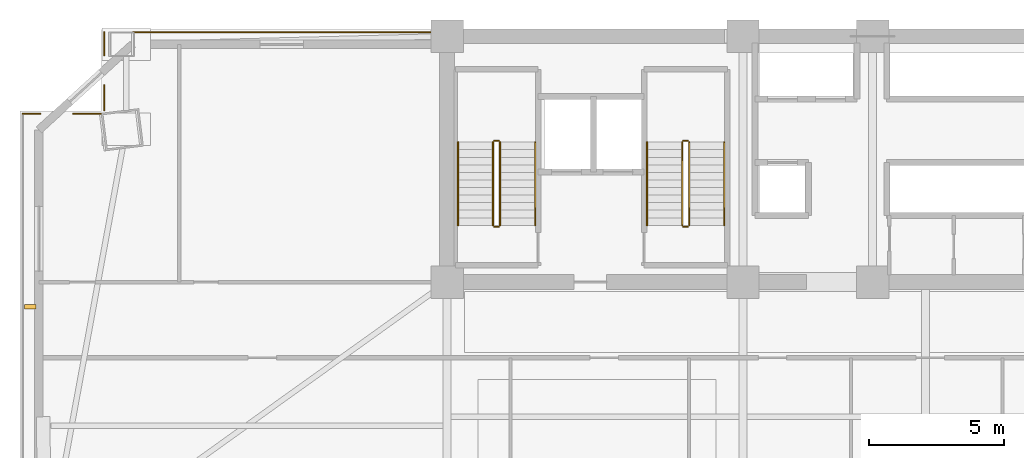
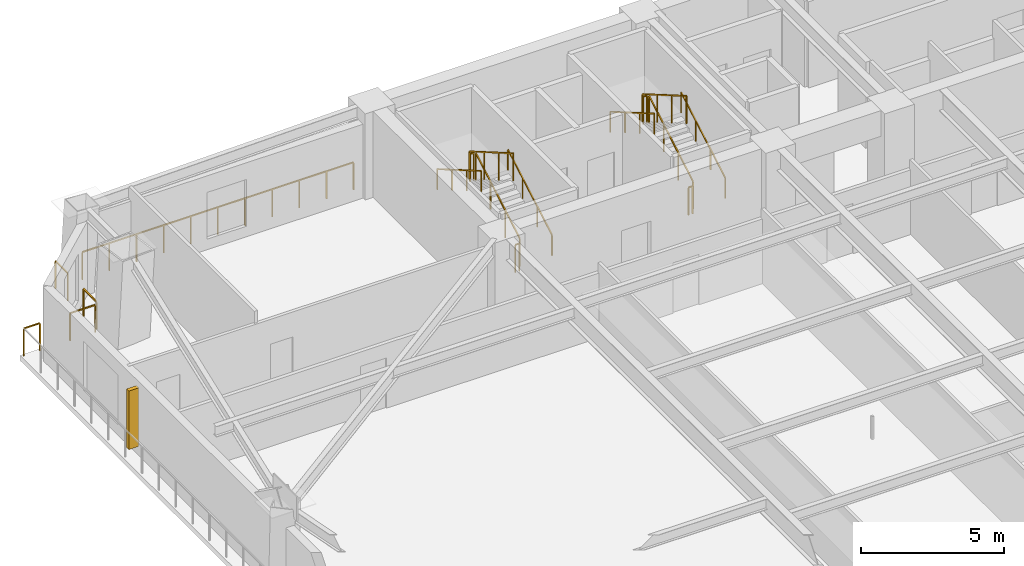
# One storey, part 14 of 15: 17 railings, 1 shading device.
"""IFC4 building model written with IfcOpenShell, lengths in metres."""

from ifc_helpers import new_model, si_unit, direction, frame, origin, origin_2d, place, context, subcontext, project, spatial, rectangle, extrude, source, transform, mapped, material, type_object, element, save


model = new_model("IFC4")

# Units and contexts
model_context = context("Model", 3, precision=1e-05, world=origin(), true_north=direction((0.0, 1.0)))
body_context = subcontext(model_context, "Body", "Model", "MODEL_VIEW")
ifc_project = project(units=[si_unit("LENGTHUNIT", "METRE"), si_unit("AREAUNIT", "SQUARE_METRE"), si_unit("VOLUMEUNIT", "CUBIC_METRE"), si_unit("PLANEANGLEUNIT", "RADIAN"), si_unit("MASSUNIT", "GRAM", prefix="KILO")], contexts=[model_context])

# Site, building, storey
site_placement = place(None, origin())
site = spatial("IfcSite", under=ifc_project, at=site_placement, CompositionType="ELEMENT")
building_placement = place(site_placement, origin())
building = spatial("IfcBuilding", under=site, at=building_placement, Name="Giltprow Tower", CompositionType="ELEMENT")
storey_placement = place(building_placement, frame((0.0, 0.0, 119.199951171875)))
storey = spatial("IfcBuildingStorey", under=building, at=storey_placement, Name="L29", CompositionType="ELEMENT", Elevation=119.199951171875)

# Railings
ifc_material = material(Name="Anodized bronze", Category="metal")
railing_type_1 = type_object("IfcRailingType", Name="RAIL-BALC-GUARD-1200", PredefinedType="BALUSTRADE", material=ifc_material)
railing_1_placement = place(storey_placement, frame((4.14404296875, 43.68310546875, 0.0)))
element("IfcRailing", 1, at=railing_1_placement, inside=storey, type_object=railing_type_1, Name="L29 Corner Apron Edge Balustrade 6", PredefinedType="BALUSTRADE", context=body_context, shape_type="SweptSolid", body=[
    extrude(rectangle(XDim=0.048095703125, YDim=0.048095703125, at=origin_2d()), frame((0.0, 0.0, 1.17578125), z_axis=(1.0, 0.0, 0.0), x_axis=(0.0, 1.0, 0.0)), (0.0, 0.0, 1.0), 0.64892578125),
    extrude(rectangle(XDim=0.0419921875, YDim=0.0419921875, at=origin_2d()), origin(), (0.0, 0.0, 1.0), 1.15185546875),
    extrude(rectangle(XDim=0.0419921875, YDim=0.0419921875, at=origin_2d()), frame((0.64892578125, 0.0, 0.0)), (0.0, 0.0, 1.0), 1.15185546875),
])
railing_2_placement = place(storey_placement, frame((6.009033203125, 43.68310546875, 0.0)))
element("IfcRailing", 2, at=railing_2_placement, inside=storey, type_object=railing_type_1, Name="L29 Corner Apron Edge Balustrade 7", PredefinedType="BALUSTRADE", context=body_context, shape_type="SweptSolid", body=[
    extrude(rectangle(XDim=0.048095703125, YDim=0.048095703125, at=origin_2d()), frame((0.0, 0.0, 1.17578125), z_axis=(1.0, 0.0, 0.0), x_axis=(0.0, 1.0, 0.0)), (0.0, 0.0, 1.0), 1.016845703125),
    extrude(rectangle(XDim=0.0419921875, YDim=0.0419921875, at=origin_2d()), origin(), (0.0, 0.0, 1.0), 1.15185546875),
    extrude(rectangle(XDim=0.0419921875, YDim=0.0419921875, at=origin_2d()), frame((1.016845703125, 0.0, 0.0)), (0.0, 0.0, 1.0), 1.15185546875),
])
railing_3_placement = place(storey_placement, frame((7.160888671875, 43.818115234375, 0.0)))
element("IfcRailing", 3, at=railing_3_placement, inside=storey, type_object=railing_type_1, Name="L29 Corner Apron Edge Balustrade 8", PredefinedType="BALUSTRADE", context=body_context, shape_type="SweptSolid", body=[
    extrude(rectangle(XDim=0.048095703125, YDim=0.048095703125, at=origin_2d()), frame((0.0, 0.0, 1.17578125), z_axis=(0.0, 1.0, 0.0), x_axis=(-1.0, 0.0, 0.0)), (0.0, 0.0, 1.0), 0.91796875),
    extrude(rectangle(XDim=0.0419921875, YDim=0.0419921875, at=origin_2d()), origin(), (0.0, 0.0, 1.0), 1.15185546875),
    extrude(rectangle(XDim=0.0419921875, YDim=0.0419921875, at=origin_2d()), frame((0.0, 0.91796875, 0.0)), (0.0, 0.0, 1.0), 1.15185546875),
])
railing_4_placement = place(storey_placement, frame((7.160888671875, 45.845947265625, 0.0)))
element("IfcRailing", 4, at=railing_4_placement, inside=storey, type_object=railing_type_1, Name="L29 Corner Apron Edge Balustrade 9", PredefinedType="BALUSTRADE", context=body_context, shape_type="SweptSolid", body=[
    extrude(rectangle(XDim=0.048095703125, YDim=0.048095703125, at=origin_2d()), frame((0.0, 0.0, 1.17578125), z_axis=(0.0, 1.0, 0.0), x_axis=(-1.0, 0.0, 0.0)), (0.0, 0.0, 1.0), 0.85400390625),
    extrude(rectangle(XDim=0.0419921875, YDim=0.0419921875, at=origin_2d()), origin(), (0.0, 0.0, 1.0), 1.15185546875),
    extrude(rectangle(XDim=0.0419921875, YDim=0.0419921875, at=origin_2d()), frame((0.0, 0.85400390625, 0.0)), (0.0, 0.0, 1.0), 1.15185546875),
])
railing_5_placement = place(storey_placement, frame((8.24609375, 46.699951171875, 0.0)))
element("IfcRailing", 5, at=railing_5_placement, inside=storey, type_object=railing_type_1, Name="L29 Corner Apron Edge Balustrade 10", PredefinedType="BALUSTRADE", context=body_context, shape_type="SweptSolid", body=[
    extrude(rectangle(XDim=0.048095703125, YDim=0.048095703125, at=origin_2d()), frame((0.0, 0.0, 1.17578125), z_axis=(1.0, 0.0, 0.0), x_axis=(0.0, 1.0, 0.0)), (0.0, 0.0, 1.0), 10.968994140625),
    extrude(rectangle(XDim=0.0419921875, YDim=0.0419921875, at=origin_2d()), origin(), (0.0, 0.0, 1.0), 1.15185546875),
    extrude(rectangle(XDim=0.0419921875, YDim=0.0419921875, at=origin_2d()), frame((1.096923828125, 0.0, 0.0)), (0.0, 0.0, 1.0), 1.15185546875),
    extrude(rectangle(XDim=0.0419921875, YDim=0.0419921875, at=origin_2d()), frame((2.19384765625, 0.0, 0.0)), (0.0, 0.0, 1.0), 1.15185546875),
    extrude(rectangle(XDim=0.0419921875, YDim=0.0419921875, at=origin_2d()), frame((3.290771484375, 0.0, 0.0)), (0.0, 0.0, 1.0), 1.15185546875),
    extrude(rectangle(XDim=0.0419921875, YDim=0.0419921875, at=origin_2d()), frame((4.3876953125, 0.0, 0.0)), (0.0, 0.0, 1.0), 1.15185546875),
    extrude(rectangle(XDim=0.0419921875, YDim=0.0419921875, at=origin_2d()), frame((5.484375, 0.0, 0.0)), (0.0, 0.0, 1.0), 1.15185546875),
    extrude(rectangle(XDim=0.0419921875, YDim=0.0419921875, at=origin_2d()), frame((6.581298828125, 0.0, 0.0)), (0.0, 0.0, 1.0), 1.15185546875),
    extrude(rectangle(XDim=0.0419921875, YDim=0.0419921875, at=origin_2d()), frame((7.67822265625, 0.0, 0.0)), (0.0, 0.0, 1.0), 1.15185546875),
    extrude(rectangle(XDim=0.0419921875, YDim=0.0419921875, at=origin_2d()), frame((8.775146484375, 0.0, 0.0)), (0.0, 0.0, 1.0), 1.15185546875),
    extrude(rectangle(XDim=0.0419921875, YDim=0.0419921875, at=origin_2d()), frame((9.8720703125, 0.0, 0.0)), (0.0, 0.0, 1.0), 1.15185546875),
    extrude(rectangle(XDim=0.0419921875, YDim=0.0419921875, at=origin_2d()), frame((10.968994140625, 0.0, 0.0)), (0.0, 0.0, 1.0), 1.15185546875),
])
railing_type_2 = type_object("IfcRailingType", Name="RAIL-STAIR-GUARD-1200", PredefinedType="GUARDRAIL", material=ifc_material)
railing_6_placement = place(storey_placement, frame((21.81005859375, 39.550048828125, 0.16259765625)))
element("IfcRailing", 6, at=railing_6_placement, inside=storey, type_object=railing_type_2, Name="L29 ST-1 stair guard 1", PredefinedType="GUARDRAIL", context=body_context, shape_type="SweptSolid", body=[
    extrude(rectangle(XDim=0.048095703125, YDim=0.048095703125, at=origin_2d()), frame((0.0, 0.0, 1.17578125), z_axis=(0.0, 0.864903211148, 0.501938676878), x_axis=(-1.0, 0.0, 0.0)), (0.0, 0.0, 1.0), 3.560791015625),
    extrude(rectangle(XDim=0.0419921875, YDim=0.0419921875, at=origin_2d()), origin(), (0.0, 0.0, 1.0), 1.15185546875),
    extrude(rectangle(XDim=0.0419921875, YDim=0.0419921875, at=origin_2d()), frame((0.0, 1.026611328125, 0.595703125)), (0.0, 0.0, 1.0), 1.15185546875),
    extrude(rectangle(XDim=0.0419921875, YDim=0.0419921875, at=origin_2d()), frame((0.0, 2.05322265625, 1.191650390625)), (0.0, 0.0, 1.0), 1.15185546875),
    extrude(rectangle(XDim=0.0419921875, YDim=0.0419921875, at=origin_2d()), frame((0.0, 3.079833984375, 1.787353515625)), (0.0, 0.0, 1.0), 1.15185546875),
])
railing_7_placement = place(storey_placement, frame((21.760009765625, 42.679931640625, 1.949951171875)))
element("IfcRailing", 7, at=railing_7_placement, inside=storey, type_object=railing_type_2, Name="L29 ST-1 stair guard 2", PredefinedType="GUARDRAIL", context=body_context, shape_type="SweptSolid", body=[
    extrude(rectangle(XDim=0.048095703125, YDim=0.048095703125, at=origin_2d()), frame((0.0, 0.0, 1.17578125), z_axis=(-1.0, 0.0, 0.0), x_axis=(0.0, -1.0, 0.0)), (0.0, 0.0, 1.0), 0.159912109375),
    extrude(rectangle(XDim=0.0419921875, YDim=0.0419921875, at=origin_2d()), origin(), (0.0, 0.0, 1.0), 1.15185546875),
    extrude(rectangle(XDim=0.0419921875, YDim=0.0419921875, at=origin_2d()), frame((-0.159912109375, 0.0, 0.0)), (0.0, 0.0, 1.0), 1.15185546875),
])
railing_8_placement = place(storey_placement, frame((21.550048828125, 42.6298828125, 2.112548828125)))
element("IfcRailing", 8, at=railing_8_placement, inside=storey, type_object=railing_type_2, Name="L29 ST-1 stair guard 3", PredefinedType="GUARDRAIL", context=body_context, shape_type="SweptSolid", body=[
    extrude(rectangle(XDim=0.048095703125, YDim=0.048095703125, at=origin_2d()), frame((0.0, 0.0, 1.17578125), z_axis=(0.0, -0.864873446163, 0.501989962173), x_axis=(1.0, 0.0, 0.0)), (0.0, 0.0, 1.0), 3.56103515625),
    extrude(rectangle(XDim=0.0419921875, YDim=0.0419921875, at=origin_2d()), origin(), (0.0, 0.0, 1.0), 1.15185546875),
    extrude(rectangle(XDim=0.0419921875, YDim=0.0419921875, at=origin_2d()), frame((0.0, -1.026611328125, 0.595947265625)), (0.0, 0.0, 1.0), 1.15185546875),
    extrude(rectangle(XDim=0.0419921875, YDim=0.0419921875, at=origin_2d()), frame((0.0, -2.05322265625, 1.191650390625)), (0.0, 0.0, 1.0), 1.15185546875),
    extrude(rectangle(XDim=0.0419921875, YDim=0.0419921875, at=origin_2d()), frame((0.0, -3.079833984375, 1.78759765625)), (0.0, 0.0, 1.0), 1.15185546875),
])
railing_9_placement = place(storey_placement, frame((21.760009765625, 39.5, 0.0)))
element("IfcRailing", 9, at=railing_9_placement, inside=storey, type_object=railing_type_2, Name="L29 ST-1 stair guard 4", PredefinedType="GUARDRAIL", context=body_context, shape_type="SweptSolid", body=[
    extrude(rectangle(XDim=0.048095703125, YDim=0.048095703125, at=origin_2d()), frame((0.0, 0.0, 1.17578125), z_axis=(-1.0, 0.0, 0.0), x_axis=(0.0, -1.0, 0.0)), (0.0, 0.0, 1.0), 0.159912109375),
    extrude(rectangle(XDim=0.0419921875, YDim=0.0419921875, at=origin_2d()), origin(), (0.0, 0.0, 1.0), 1.15185546875),
    extrude(rectangle(XDim=0.0419921875, YDim=0.0419921875, at=origin_2d()), frame((-0.159912109375, 0.0, 0.0)), (0.0, 0.0, 1.0), 1.15185546875),
])
railing_10_placement = place(storey_placement, frame((28.81005859375, 39.550048828125, 0.16259765625)))
element("IfcRailing", 10, at=railing_10_placement, inside=storey, type_object=railing_type_2, Name="L29 ST-2 stair guard 1", PredefinedType="GUARDRAIL", context=body_context, shape_type="SweptSolid", body=[
    extrude(rectangle(XDim=0.048095703125, YDim=0.048095703125, at=origin_2d()), frame((0.0, 0.0, 1.17578125), z_axis=(0.0, 0.864903211148, 0.501938676878), x_axis=(-1.0, 0.0, 0.0)), (0.0, 0.0, 1.0), 3.560791015625),
    extrude(rectangle(XDim=0.0419921875, YDim=0.0419921875, at=origin_2d()), origin(), (0.0, 0.0, 1.0), 1.15185546875),
    extrude(rectangle(XDim=0.0419921875, YDim=0.0419921875, at=origin_2d()), frame((0.0, 1.026611328125, 0.595703125)), (0.0, 0.0, 1.0), 1.15185546875),
    extrude(rectangle(XDim=0.0419921875, YDim=0.0419921875, at=origin_2d()), frame((0.0, 2.05322265625, 1.191650390625)), (0.0, 0.0, 1.0), 1.15185546875),
    extrude(rectangle(XDim=0.0419921875, YDim=0.0419921875, at=origin_2d()), frame((0.0, 3.079833984375, 1.787353515625)), (0.0, 0.0, 1.0), 1.15185546875),
])
railing_11_placement = place(storey_placement, frame((28.760009765625, 42.679931640625, 1.949951171875)))
element("IfcRailing", 11, at=railing_11_placement, inside=storey, type_object=railing_type_2, Name="L29 ST-2 stair guard 2", PredefinedType="GUARDRAIL", context=body_context, shape_type="SweptSolid", body=[
    extrude(rectangle(XDim=0.048095703125, YDim=0.048095703125, at=origin_2d()), frame((0.0, 0.0, 1.17578125), z_axis=(-1.0, 0.0, 0.0), x_axis=(0.0, -1.0, 0.0)), (0.0, 0.0, 1.0), 0.159912109375),
    extrude(rectangle(XDim=0.0419921875, YDim=0.0419921875, at=origin_2d()), origin(), (0.0, 0.0, 1.0), 1.15185546875),
    extrude(rectangle(XDim=0.0419921875, YDim=0.0419921875, at=origin_2d()), frame((-0.159912109375, 0.0, 0.0)), (0.0, 0.0, 1.0), 1.15185546875),
])
railing_12_placement = place(storey_placement, frame((28.550048828125, 42.6298828125, 2.112548828125)))
element("IfcRailing", 12, at=railing_12_placement, inside=storey, type_object=railing_type_2, Name="L29 ST-2 stair guard 3", PredefinedType="GUARDRAIL", context=body_context, shape_type="SweptSolid", body=[
    extrude(rectangle(XDim=0.048095703125, YDim=0.048095703125, at=origin_2d()), frame((0.0, 0.0, 1.17578125), z_axis=(0.0, -0.864873446163, 0.501989962173), x_axis=(1.0, 0.0, 0.0)), (0.0, 0.0, 1.0), 3.56103515625),
    extrude(rectangle(XDim=0.0419921875, YDim=0.0419921875, at=origin_2d()), origin(), (0.0, 0.0, 1.0), 1.15185546875),
    extrude(rectangle(XDim=0.0419921875, YDim=0.0419921875, at=origin_2d()), frame((0.0, -1.026611328125, 0.595947265625)), (0.0, 0.0, 1.0), 1.15185546875),
    extrude(rectangle(XDim=0.0419921875, YDim=0.0419921875, at=origin_2d()), frame((0.0, -2.05322265625, 1.191650390625)), (0.0, 0.0, 1.0), 1.15185546875),
    extrude(rectangle(XDim=0.0419921875, YDim=0.0419921875, at=origin_2d()), frame((0.0, -3.079833984375, 1.78759765625)), (0.0, 0.0, 1.0), 1.15185546875),
])
railing_13_placement = place(storey_placement, frame((28.760009765625, 39.5, 0.0)))
element("IfcRailing", 13, at=railing_13_placement, inside=storey, type_object=railing_type_2, Name="L29 ST-2 stair guard 4", PredefinedType="GUARDRAIL", context=body_context, shape_type="SweptSolid", body=[
    extrude(rectangle(XDim=0.048095703125, YDim=0.048095703125, at=origin_2d()), frame((0.0, 0.0, 1.17578125), z_axis=(-1.0, 0.0, 0.0), x_axis=(0.0, -1.0, 0.0)), (0.0, 0.0, 1.0), 0.159912109375),
    extrude(rectangle(XDim=0.0419921875, YDim=0.0419921875, at=origin_2d()), origin(), (0.0, 0.0, 1.0), 1.15185546875),
    extrude(rectangle(XDim=0.0419921875, YDim=0.0419921875, at=origin_2d()), frame((-0.159912109375, 0.0, 0.0)), (0.0, 0.0, 1.0), 1.15185546875),
])
railing_type_3 = type_object("IfcRailingType", Name="RAIL-STAIR-HAND-900", PredefinedType="HANDRAIL", material=ifc_material)
railing_14_placement = place(storey_placement, frame((23.110107421875, 39.550048828125, 0.16259765625)))
element("IfcRailing", 14, at=railing_14_placement, inside=storey, type_object=railing_type_3, Name="L29 ST-1 stair handrail 1", PredefinedType="HANDRAIL", context=body_context, shape_type="SweptSolid", body=[
    extrude(rectangle(XDim=0.048095703125, YDim=0.048095703125, at=origin_2d()), frame((0.0, 0.0, 0.8759765625), z_axis=(0.0, 0.864903211148, 0.501938676878), x_axis=(-1.0, 0.0, 0.0)), (0.0, 0.0, 1.0), 3.560791015625),
    extrude(rectangle(XDim=0.0419921875, YDim=0.0419921875, at=origin_2d()), origin(), (0.0, 0.0, 1.0), 0.851806640625),
    extrude(rectangle(XDim=0.0419921875, YDim=0.0419921875, at=origin_2d()), frame((0.0, 1.026611328125, 0.595703125)), (0.0, 0.0, 1.0), 0.851806640625),
    extrude(rectangle(XDim=0.0419921875, YDim=0.0419921875, at=origin_2d()), frame((0.0, 2.05322265625, 1.191650390625)), (0.0, 0.0, 1.0), 0.851806640625),
    extrude(rectangle(XDim=0.0419921875, YDim=0.0419921875, at=origin_2d()), frame((0.0, 3.079833984375, 1.787353515625)), (0.0, 0.0, 1.0), 0.851806640625),
])
railing_15_placement = place(storey_placement, frame((20.25, 42.6298828125, 2.112548828125)))
element("IfcRailing", 15, at=railing_15_placement, inside=storey, type_object=railing_type_3, Name="L29 ST-1 stair handrail 2", PredefinedType="HANDRAIL", context=body_context, shape_type="SweptSolid", body=[
    extrude(rectangle(XDim=0.048095703125, YDim=0.048095703125, at=origin_2d()), frame((0.0, 0.0, 0.8759765625), z_axis=(0.0, -0.864873446163, 0.501989962173), x_axis=(1.0, 0.0, 0.0)), (0.0, 0.0, 1.0), 3.56103515625),
    extrude(rectangle(XDim=0.0419921875, YDim=0.0419921875, at=origin_2d()), origin(), (0.0, 0.0, 1.0), 0.851806640625),
    extrude(rectangle(XDim=0.0419921875, YDim=0.0419921875, at=origin_2d()), frame((0.0, -1.026611328125, 0.595947265625)), (0.0, 0.0, 1.0), 0.851806640625),
    extrude(rectangle(XDim=0.0419921875, YDim=0.0419921875, at=origin_2d()), frame((0.0, -2.05322265625, 1.191650390625)), (0.0, 0.0, 1.0), 0.851806640625),
    extrude(rectangle(XDim=0.0419921875, YDim=0.0419921875, at=origin_2d()), frame((0.0, -3.079833984375, 1.78759765625)), (0.0, 0.0, 1.0), 0.851806640625),
])
railing_16_placement = place(storey_placement, frame((30.110107421875, 39.550048828125, 0.16259765625)))
element("IfcRailing", 16, at=railing_16_placement, inside=storey, type_object=railing_type_3, Name="L29 ST-2 stair handrail 1", PredefinedType="HANDRAIL", context=body_context, shape_type="SweptSolid", body=[
    extrude(rectangle(XDim=0.048095703125, YDim=0.048095703125, at=origin_2d()), frame((0.0, 0.0, 0.8759765625), z_axis=(0.0, 0.864903211148, 0.501938676878), x_axis=(-1.0, 0.0, 0.0)), (0.0, 0.0, 1.0), 3.560791015625),
    extrude(rectangle(XDim=0.0419921875, YDim=0.0419921875, at=origin_2d()), origin(), (0.0, 0.0, 1.0), 0.851806640625),
    extrude(rectangle(XDim=0.0419921875, YDim=0.0419921875, at=origin_2d()), frame((0.0, 1.026611328125, 0.595703125)), (0.0, 0.0, 1.0), 0.851806640625),
    extrude(rectangle(XDim=0.0419921875, YDim=0.0419921875, at=origin_2d()), frame((0.0, 2.05322265625, 1.191650390625)), (0.0, 0.0, 1.0), 0.851806640625),
    extrude(rectangle(XDim=0.0419921875, YDim=0.0419921875, at=origin_2d()), frame((0.0, 3.079833984375, 1.787353515625)), (0.0, 0.0, 1.0), 0.851806640625),
])
railing_17_placement = place(storey_placement, frame((27.25, 42.6298828125, 2.112548828125)))
element("IfcRailing", 17, at=railing_17_placement, inside=storey, type_object=railing_type_3, Name="L29 ST-2 stair handrail 2", PredefinedType="HANDRAIL", context=body_context, shape_type="SweptSolid", body=[
    extrude(rectangle(XDim=0.048095703125, YDim=0.048095703125, at=origin_2d()), frame((0.0, 0.0, 0.8759765625), z_axis=(0.0, -0.864873446163, 0.501989962173), x_axis=(1.0, 0.0, 0.0)), (0.0, 0.0, 1.0), 3.56103515625),
    extrude(rectangle(XDim=0.0419921875, YDim=0.0419921875, at=origin_2d()), origin(), (0.0, 0.0, 1.0), 0.851806640625),
    extrude(rectangle(XDim=0.0419921875, YDim=0.0419921875, at=origin_2d()), frame((0.0, -1.026611328125, 0.595947265625)), (0.0, 0.0, 1.0), 0.851806640625),
    extrude(rectangle(XDim=0.0419921875, YDim=0.0419921875, at=origin_2d()), frame((0.0, -2.05322265625, 1.191650390625)), (0.0, 0.0, 1.0), 0.851806640625),
    extrude(rectangle(XDim=0.0419921875, YDim=0.0419921875, at=origin_2d()), frame((0.0, -3.079833984375, 1.78759765625)), (0.0, 0.0, 1.0), 0.851806640625),
])

# Shading device
shading_device_type = type_object("IfcShadingDeviceType", Name="SHD-FIN-420", PredefinedType="USERDEFINED", material=ifc_material)
shared_shape = source(origin(), body_context, "Body", "SweptSolid", [
    extrude(rectangle(XDim=0.419921875, YDim=0.159912109375, at=origin_2d()), origin(), (0.0, 0.0, 1.0), 2.5),
])
shading_device_placement = place(storey_placement, frame((4.424072265625, 36.5380859375, 0.35009765625), z_axis=(0.0, 0.0, 1.0), x_axis=(1.0, 0.0, 0.0)))
element("IfcShadingDevice", 18, at=shading_device_placement, inside=storey, type_object=shading_device_type, Name="L29 W Bronze Vertical Fin 2-1", ObjectType="FIN", PredefinedType="USERDEFINED", context=body_context, shape_type="MappedRepresentation", body=[
    mapped(shared_shape, transform((0.0, 0.0, 0.0), x_axis=(1.0, 0.0, 0.0), y_axis=(0.0, 1.0, 0.0), z_axis=(0.0, 0.0, 1.0), scale=1.0)),
])

save(model, "model.ifc")
